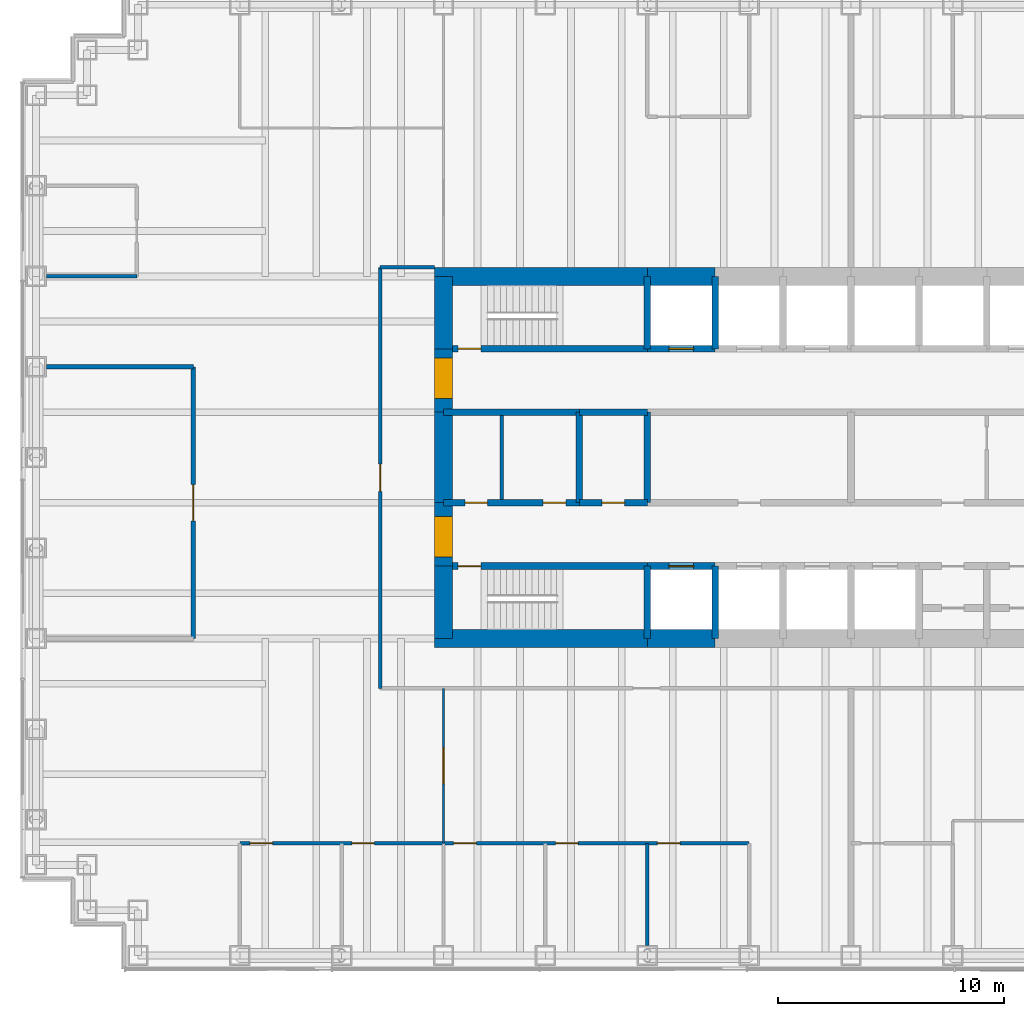
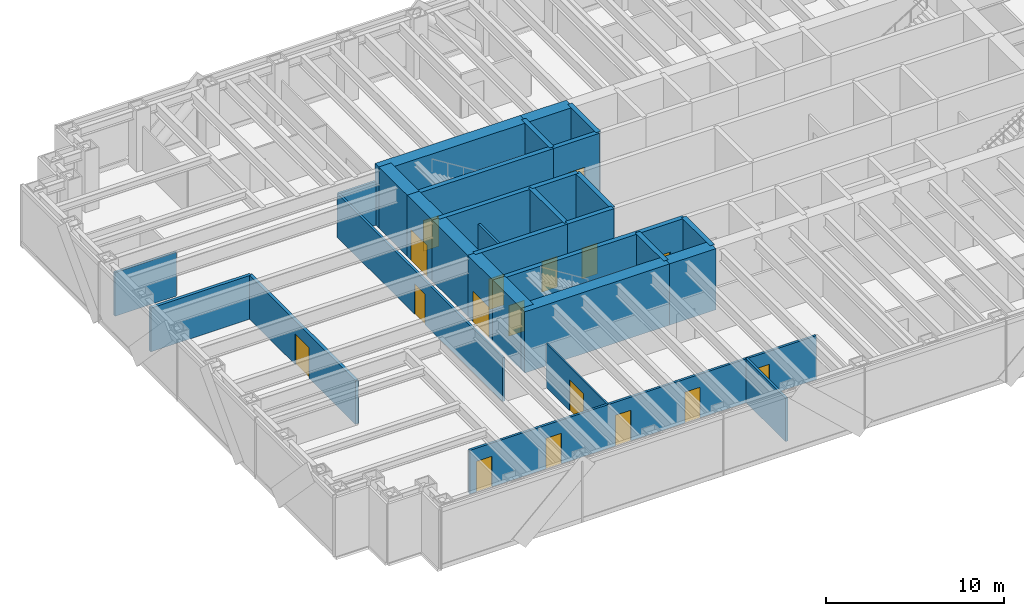
# One storey, part 11 of 15: 32 walls, 17 doors, 17 openings.
"""IFC4 building model written with IfcOpenShell, lengths in metres."""

from ifc_helpers import new_model, si_unit, direction, frame, frame_2d, origin, place, context, subcontext, project, spatial, rectangle, extrude, material, layer, layer_set, type_object, element, fill, save


model = new_model("IFC4")

# Units and contexts
model_context = context("Model", 3, precision=1e-05, world=origin(), true_north=direction((0.0, 1.0)))
body_context = subcontext(model_context, "Body", "Model", "MODEL_VIEW")
ifc_project = project(units=[si_unit("LENGTHUNIT", "METRE"), si_unit("AREAUNIT", "SQUARE_METRE"), si_unit("VOLUMEUNIT", "CUBIC_METRE"), si_unit("PLANEANGLEUNIT", "RADIAN"), si_unit("MASSUNIT", "GRAM", prefix="KILO")], contexts=[model_context])

# Site, building, storey
site_placement = place(None, origin())
site = spatial("IfcSite", under=ifc_project, at=site_placement, CompositionType="ELEMENT")
building_placement = place(site_placement, origin())
building = spatial("IfcBuilding", under=site, at=building_placement, Name="Rheinbord Bourse Tower", CompositionType="ELEMENT")
storey_placement = place(building_placement, frame((0.0, 0.0, 248.800048828125)))
storey = spatial("IfcBuildingStorey", under=building, at=storey_placement, Name="L56", CompositionType="ELEMENT", Elevation=248.800048828125)

# Wall
ifc_material_1 = material(Name="Acoustic gypsum board partition", Category="gypsum board")
ifc_layer_1 = layer(ifc_material_1, 0.199951171875)
ifc_layer_set_1 = layer_set([ifc_layer_1], Name="ACOUSTIC PARTITION 200")
wall_type_1 = type_object("IfcWallType", Name="ACOUSTIC PARTITION 200", PredefinedType="PARTITIONING", material=ifc_layer_set_1)
wall_1_placement = place(storey_placement, frame((0.449951171875, 28.0, 0.0), z_axis=(0.0, 0.0, 1.0), x_axis=(1.0, 0.0, 0.0)))
element("IfcWall", 1, at=wall_1_placement, inside=storey, type_object=wall_type_1, Name="Partition L56-10", PredefinedType="PARTITIONING", context=body_context, shape_type="SweptSolid", body=[
    extrude(rectangle(XDim=6.5, YDim=0.199951171875, at=frame_2d((3.25, 0.0))), origin(), (0.0, 0.0, 1.0), 3.0),
])

# Wall, opening, door
wall_2_placement = place(storey_placement, frame((6.949951171875, 16.0, 0.0), z_axis=(0.0, 0.0, 1.0), x_axis=(0.0, 1.0, 0.0)))
wall_2 = element("IfcWall", 2, at=wall_2_placement, inside=storey, type_object=wall_type_1, Name="Partition L56-20", PredefinedType="PARTITIONING", context=body_context, shape_type="SweptSolid", body=[
    extrude(rectangle(XDim=12.0, YDim=0.199951171875, at=frame_2d((6.0, 0.0))), origin(), (0.0, 0.0, 1.0), 3.0),
])
opening_1_placement = place(wall_2_placement, frame((5.199951171875, 0.0, 0.0)))
opening_1 = element("IfcOpeningElement", 3, at=opening_1_placement, cuts=wall_2, Name="Opening 56D10", PredefinedType="OPENING", context=body_context, shape_type="SweptSolid", body=[
    extrude(rectangle(XDim=1.60009765625, YDim=2.10009765625, at=frame_2d((0.800048828125, 1.050048828125))), frame((0.0, 0.10986328125, 0.0), z_axis=(0.0, -1.0, 0.0), x_axis=(1.0, 0.0, 0.0)), (0.0, 0.0, 1.0), 0.219970703125),
])
ifc_material_2 = material(Name="Timber door", Category="wood")
door_type_1 = type_object("IfcDoorType", Name="DOUBLE ROOM DOOR 1600", OperationType="DOUBLE_DOOR_DOUBLE_SWING", PredefinedType="DOOR", material=ifc_material_2)
door_1_placement = place(opening_1_placement, origin())
door_1 = element("IfcDoor", 4, at=door_1_placement, inside=storey, type_object=door_type_1, Name="Board room door L56", OperationType="SINGLE_SWING_LEFT", OverallHeight=2.10009765625, OverallWidth=1.60009765625, PredefinedType="DOOR", context=body_context, shape_type="SweptSolid", body=[
    extrude(rectangle(XDim=1.60009765625, YDim=2.10009765625, at=frame_2d((0.800048828125, 1.050048828125))), frame((0.0, 0.02490234375, 0.0), z_axis=(0.0, -1.0, 0.0), x_axis=(1.0, 0.0, 0.0)), (0.0, 0.0, 1.0), 0.050048828125),
])
fill(opening_1, door_1)

ifc_material_3 = material(Name="Concrete C50/60", Category="concrete")
ifc_layer_2 = layer(ifc_material_3, 0.300048828125)
ifc_layer_set_2 = layer_set([ifc_layer_2], Name="CORE INNER WALL 300")
wall_type_2 = type_object("IfcWallType", Name="CORE INNER WALL 300", PredefinedType="SOLIDWALL", material=ifc_layer_set_2)
wall_3_placement = place(storey_placement, frame((18.0, 19.199951171875, 0.0), z_axis=(0.0, 0.0, 1.0), x_axis=(1.0, 0.0, 0.0)))
wall_3 = element("IfcWall", 5, at=wall_3_placement, inside=storey, type_object=wall_type_2, Name="Core wall A1 L56", PredefinedType="SOLIDWALL", context=body_context, shape_type="SweptSolid", body=[
    extrude(rectangle(XDim=9.0, YDim=0.300048828125, at=frame_2d((4.5, 0.0))), origin(), (0.0, 0.0, 1.0), 4.199951171875),
])
opening_2_placement = place(wall_3_placement, frame((0.64990234375, 0.0, 0.0)))
opening_2 = element("IfcOpeningElement", 6, at=opening_2_placement, cuts=wall_3, Name="Opening 5610", PredefinedType="OPENING", context=body_context, shape_type="SweptSolid", body=[
    extrude(rectangle(XDim=1.0, YDim=2.10009765625, at=frame_2d((0.5, 1.050048828125))), frame((0.0, 0.159912109375, 0.0), z_axis=(0.0, -1.0, 0.0), x_axis=(1.0, 0.0, 0.0)), (0.0, 0.0, 1.0), 0.320068359375),
])
ifc_material_4 = material(Name="Steel door", Category="steel")
door_type_2 = type_object("IfcDoorType", Name="DOOR 1000 EI30", OperationType="SINGLE_SWING_LEFT", PredefinedType="DOOR", material=ifc_material_4)
door_2_placement = place(opening_2_placement, origin())
door_2 = element("IfcDoor", 7, at=door_2_placement, inside=storey, type_object=door_type_2, Name="Stair door ST1 L56", OperationType="SINGLE_SWING_LEFT", OverallHeight=2.10009765625, OverallWidth=1.0, PredefinedType="DOOR", context=body_context, shape_type="SweptSolid", body=[
    extrude(rectangle(XDim=1.0, YDim=2.10009765625, at=frame_2d((0.5, 1.050048828125))), frame((0.0, 0.02490234375, 0.0), z_axis=(0.0, -1.0, 0.0), x_axis=(1.0, 0.0, 0.0)), (0.0, 0.0, 1.0), 0.050048828125),
])
fill(opening_2, door_2)

wall_4_placement = place(storey_placement, frame((27.0, 19.199951171875, 0.0), z_axis=(0.0, 0.0, 1.0), x_axis=(1.0, 0.0, 0.0)))
wall_4 = element("IfcWall", 8, at=wall_4_placement, inside=storey, type_object=wall_type_2, Name="Core wall A2 L56", PredefinedType="SOLIDWALL", context=body_context, shape_type="SweptSolid", body=[
    extrude(rectangle(XDim=3.0, YDim=0.300048828125, at=frame_2d((1.5, 0.0))), origin(), (0.0, 0.0, 1.0), 4.199951171875),
])
opening_3_placement = place(wall_4_placement, frame((0.949951171875, 0.0, 0.0)))
opening_3 = element("IfcOpeningElement", 9, at=opening_3_placement, cuts=wall_4, Name="Opening FL1", PredefinedType="OPENING", context=body_context, shape_type="SweptSolid", body=[
    extrude(rectangle(XDim=1.10009765625, YDim=2.199951171875, at=frame_2d((0.550048828125, 1.10009765625))), frame((0.0, 0.159912109375, 0.0), z_axis=(0.0, -1.0, 0.0), x_axis=(1.0, 0.0, 0.0)), (0.0, 0.0, 1.0), 0.320068359375),
])
ifc_material_5 = material(Name="Steel landing door", Category="steel")
door_type_3 = type_object("IfcDoorType", Name="LIFT LANDING DOOR 1100", OperationType="DOUBLE_DOOR_SLIDING", PredefinedType="USERDEFINED", material=ifc_material_5)
door_3_placement = place(opening_3_placement, origin())
door_3 = element("IfcDoor", 10, at=door_3_placement, inside=storey, type_object=door_type_3, Name="Lift landing door FL1 L56", ObjectType="LIFT LANDING DOOR", OperationType="DOUBLE_DOOR_SLIDING", OverallHeight=2.199951171875, OverallWidth=1.10009765625, PredefinedType="USERDEFINED", context=body_context, shape_type="SweptSolid", body=[
    extrude(rectangle(XDim=1.10009765625, YDim=2.199951171875, at=frame_2d((0.550048828125, 1.10009765625))), frame((0.0, 0.02490234375, 0.0), z_axis=(0.0, -1.0, 0.0), x_axis=(1.0, 0.0, 0.0)), (0.0, 0.0, 1.0), 0.050048828125),
])
fill(opening_3, door_3)

wall_5_placement = place(storey_placement, frame((18.0, 28.800048828125, 0.0), z_axis=(0.0, 0.0, 1.0), x_axis=(1.0, 0.0, 0.0)))
wall_5 = element("IfcWall", 11, at=wall_5_placement, inside=storey, type_object=wall_type_2, Name="Core wall B1 L56", PredefinedType="SOLIDWALL", context=body_context, shape_type="SweptSolid", body=[
    extrude(rectangle(XDim=9.0, YDim=0.300048828125, at=frame_2d((4.5, 0.0))), origin(), (0.0, 0.0, 1.0), 4.199951171875),
])
opening_4_placement = place(wall_5_placement, frame((0.64990234375, 0.0, 0.0)))
opening_4 = element("IfcOpeningElement", 12, at=opening_4_placement, cuts=wall_5, Name="Opening 5620", PredefinedType="OPENING", context=body_context, shape_type="SweptSolid", body=[
    extrude(rectangle(XDim=1.0, YDim=2.10009765625, at=frame_2d((0.5, 1.050048828125))), frame((0.0, 0.159912109375, 0.0), z_axis=(0.0, -1.0, 0.0), x_axis=(1.0, 0.0, 0.0)), (0.0, 0.0, 1.0), 0.320068359375),
])
door_4_placement = place(opening_4_placement, origin())
door_4 = element("IfcDoor", 13, at=door_4_placement, inside=storey, type_object=door_type_2, Name="Stair door ST2 L56", OperationType="SINGLE_SWING_LEFT", OverallHeight=2.10009765625, OverallWidth=1.0, PredefinedType="DOOR", context=body_context, shape_type="SweptSolid", body=[
    extrude(rectangle(XDim=1.0, YDim=2.10009765625, at=frame_2d((0.5, 1.050048828125))), frame((0.0, 0.02490234375, 0.0), z_axis=(0.0, -1.0, 0.0), x_axis=(1.0, 0.0, 0.0)), (0.0, 0.0, 1.0), 0.050048828125),
])
fill(opening_4, door_4)

wall_6_placement = place(storey_placement, frame((27.0, 28.800048828125, 0.0), z_axis=(0.0, 0.0, 1.0), x_axis=(1.0, 0.0, 0.0)))
wall_6 = element("IfcWall", 14, at=wall_6_placement, inside=storey, type_object=wall_type_2, Name="Core wall B2 L56", PredefinedType="SOLIDWALL", context=body_context, shape_type="SweptSolid", body=[
    extrude(rectangle(XDim=3.0, YDim=0.300048828125, at=frame_2d((1.5, 0.0))), origin(), (0.0, 0.0, 1.0), 4.199951171875),
])
opening_5_placement = place(wall_6_placement, frame((0.949951171875, 0.0, 0.0)))
opening_5 = element("IfcOpeningElement", 15, at=opening_5_placement, cuts=wall_6, Name="Opening GL1", PredefinedType="OPENING", context=body_context, shape_type="SweptSolid", body=[
    extrude(rectangle(XDim=1.10009765625, YDim=2.199951171875, at=frame_2d((0.550048828125, 1.10009765625))), frame((0.0, 0.159912109375, 0.0), z_axis=(0.0, -1.0, 0.0), x_axis=(1.0, 0.0, 0.0)), (0.0, 0.0, 1.0), 0.320068359375),
])
door_5_placement = place(opening_5_placement, origin())
door_5 = element("IfcDoor", 16, at=door_5_placement, inside=storey, type_object=door_type_3, Name="Lift landing door GL1 L56", ObjectType="LIFT LANDING DOOR", OperationType="DOUBLE_DOOR_SLIDING", OverallHeight=2.199951171875, OverallWidth=1.10009765625, PredefinedType="USERDEFINED", context=body_context, shape_type="SweptSolid", body=[
    extrude(rectangle(XDim=1.10009765625, YDim=2.199951171875, at=frame_2d((0.550048828125, 1.10009765625))), frame((0.0, 0.02490234375, 0.0), z_axis=(0.0, -1.0, 0.0), x_axis=(1.0, 0.0, 0.0)), (0.0, 0.0, 1.0), 0.050048828125),
])
fill(opening_5, door_5)

# Wall, openings, doors
wall_7_placement = place(storey_placement, frame((18.0, 22.0, 0.0), z_axis=(0.0, 0.0, 1.0), x_axis=(1.0, 0.0, 0.0)))
wall_7 = element("IfcWall", 17, at=wall_7_placement, inside=storey, type_object=wall_type_2, Name="Core wall C1 L56", PredefinedType="SOLIDWALL", context=body_context, shape_type="SweptSolid", body=[
    extrude(rectangle(XDim=6.0, YDim=0.300048828125, at=frame_2d((3.0, 0.0))), origin(), (0.0, 0.0, 1.0), 4.199951171875),
])
opening_6_placement = place(wall_7_placement, frame((4.39990234375, 0.0, 0.0)))
opening_6 = element("IfcOpeningElement", 18, at=opening_6_placement, cuts=wall_7, Name="Opening 56R1", PredefinedType="OPENING", context=body_context, shape_type="SweptSolid", body=[
    extrude(rectangle(XDim=1.0, YDim=2.10009765625, at=frame_2d((0.5, 1.050048828125))), frame((0.0, 0.159912109375, 0.0), z_axis=(0.0, -1.0, 0.0), x_axis=(1.0, 0.0, 0.0)), (0.0, 0.0, 1.0), 0.320068359375),
])
opening_7_placement = place(wall_7_placement, frame((0.949951171875, 0.0, 0.0)))
opening_7 = element("IfcOpeningElement", 19, at=opening_7_placement, cuts=wall_7, Name="Opening 56R9", PredefinedType="OPENING", context=body_context, shape_type="SweptSolid", body=[
    extrude(rectangle(XDim=1.0, YDim=2.10009765625, at=frame_2d((0.5, 1.050048828125))), frame((0.0, 0.159912109375, 0.0), z_axis=(0.0, -1.0, 0.0), x_axis=(1.0, 0.0, 0.0)), (0.0, 0.0, 1.0), 0.320068359375),
])
door_6_placement = place(opening_7_placement, origin())
door_6 = element("IfcDoor", 20, at=door_6_placement, inside=storey, type_object=door_type_2, Name="Baby change door L56", OperationType="SINGLE_SWING_LEFT", OverallHeight=2.10009765625, OverallWidth=1.0, PredefinedType="DOOR", context=body_context, shape_type="SweptSolid", body=[
    extrude(rectangle(XDim=1.0, YDim=2.10009765625, at=frame_2d((0.5, 1.050048828125))), frame((0.0, 0.02490234375, 0.0), z_axis=(0.0, -1.0, 0.0), x_axis=(1.0, 0.0, 0.0)), (0.0, 0.0, 1.0), 0.050048828125),
])
fill(opening_7, door_6)
ifc_material_6 = material(Name="Timber door", Category="wood")
door_type_4 = type_object("IfcDoorType", Name="DOOR 1000 WC", OperationType="SINGLE_SWING_LEFT", PredefinedType="DOOR", material=ifc_material_6)
door_7_placement = place(opening_6_placement, origin())
door_7 = element("IfcDoor", 21, at=door_7_placement, inside=storey, type_object=door_type_4, Name="WC men door L56", OperationType="SINGLE_SWING_RIGHT", OverallHeight=2.10009765625, OverallWidth=1.0, PredefinedType="DOOR", context=body_context, shape_type="SweptSolid", body=[
    extrude(rectangle(XDim=1.0, YDim=2.10009765625, at=frame_2d((0.5, 1.050048828125))), frame((0.0, 0.02490234375, 0.0), z_axis=(0.0, -1.0, 0.0), x_axis=(1.0, 0.0, 0.0)), (0.0, 0.0, 1.0), 0.050048828125),
])
fill(opening_6, door_7)

# Wall, opening, door
wall_8_placement = place(storey_placement, frame((24.0, 22.0, 0.0), z_axis=(0.0, 0.0, 1.0), x_axis=(1.0, 0.0, 0.0)))
wall_8 = element("IfcWall", 22, at=wall_8_placement, inside=storey, type_object=wall_type_2, Name="Core wall C2 L56", PredefinedType="SOLIDWALL", context=body_context, shape_type="SweptSolid", body=[
    extrude(rectangle(XDim=3.0, YDim=0.300048828125, at=frame_2d((1.5, 0.0))), origin(), (0.0, 0.0, 1.0), 4.199951171875),
])
opening_8_placement = place(wall_8_placement, frame((1.0, 0.0, 0.0)))
opening_8 = element("IfcOpeningElement", 23, at=opening_8_placement, cuts=wall_8, Name="Opening 56R2", PredefinedType="OPENING", context=body_context, shape_type="SweptSolid", body=[
    extrude(rectangle(XDim=1.0, YDim=2.10009765625, at=frame_2d((0.5, 1.050048828125))), frame((0.0, 0.159912109375, 0.0), z_axis=(0.0, -1.0, 0.0), x_axis=(1.0, 0.0, 0.0)), (0.0, 0.0, 1.0), 0.320068359375),
])
door_8_placement = place(opening_8_placement, origin())
door_8 = element("IfcDoor", 24, at=door_8_placement, inside=storey, type_object=door_type_4, Name="Accessible WC door L56", OperationType="SINGLE_SWING_LEFT", OverallHeight=2.10009765625, OverallWidth=1.0, PredefinedType="DOOR", context=body_context, shape_type="SweptSolid", body=[
    extrude(rectangle(XDim=1.0, YDim=2.10009765625, at=frame_2d((0.5, 1.050048828125))), frame((0.0, 0.02490234375, 0.0), z_axis=(0.0, -1.0, 0.0), x_axis=(1.0, 0.0, 0.0)), (0.0, 0.0, 1.0), 0.050048828125),
])
fill(opening_8, door_8)

# Walls
wall_9_placement = place(storey_placement, frame((18.0, 26.0, 0.0), z_axis=(0.0, 0.0, 1.0), x_axis=(1.0, 0.0, 0.0)))
element("IfcWall", 25, at=wall_9_placement, inside=storey, type_object=wall_type_2, Name="Core wall D1 L56", PredefinedType="SOLIDWALL", context=body_context, shape_type="SweptSolid", body=[
    extrude(rectangle(XDim=6.0, YDim=0.300048828125, at=frame_2d((3.0, 0.0))), origin(), (0.0, 0.0, 1.0), 4.199951171875),
])
wall_10_placement = place(storey_placement, frame((24.0, 26.0, 0.0), z_axis=(0.0, 0.0, 1.0), x_axis=(1.0, 0.0, 0.0)))
element("IfcWall", 26, at=wall_10_placement, inside=storey, type_object=wall_type_2, Name="Core wall D2 L56", PredefinedType="SOLIDWALL", context=body_context, shape_type="SweptSolid", body=[
    extrude(rectangle(XDim=3.0, YDim=0.300048828125, at=frame_2d((1.5, 0.0))), origin(), (0.0, 0.0, 1.0), 4.199951171875),
])
for number, where, z_axis, x_axis, name in (
    (27, (27.0, 16.0, 0.0), (0.0, 0.0, 1.0), (0.0, 1.0, 0.0), "Core wall SX27 L56"),
    (28, (27.0, 28.800048828125, 0.0), (0.0, 0.0, 1.0), (0.0, 1.0, 0.0), "Core wall NX27 L56"),
    (29, (30.0, 16.0, 0.0), (0.0, 0.0, 1.0), (0.0, 1.0, 0.0), "Core wall SX30 L56"),
    (30, (30.0, 28.800048828125, 0.0), (0.0, 0.0, 1.0), (0.0, 1.0, 0.0), "Core wall NX30 L56"),
):
    element("IfcWall", number, at=place(storey_placement, frame(where, z_axis=z_axis, x_axis=x_axis)), inside=storey, type_object=wall_type_2, Name=name, PredefinedType="SOLIDWALL", context=body_context, shape_type="SweptSolid", body=[
        extrude(rectangle(XDim=3.199951171875, YDim=0.300048828125, at=frame_2d((1.60009765625, 0.0))), origin(), (0.0, 0.0, 1.0), 4.199951171875),
    ])
for number, where, z_axis, x_axis, name in (
    (31, (24.0, 22.0, 0.0), (0.0, 0.0, 1.0), (0.0, 1.0, 0.0), "Core wall MX24 L56"),
    (32, (27.0, 22.0, 0.0), (0.0, 0.0, 1.0), (0.0, 1.0, 0.0), "Core wall MX27 L56"),
):
    element("IfcWall", number, at=place(storey_placement, frame(where, z_axis=z_axis, x_axis=x_axis)), inside=storey, type_object=wall_type_2, Name=name, PredefinedType="SOLIDWALL", context=body_context, shape_type="SweptSolid", body=[
        extrude(rectangle(XDim=4.0, YDim=0.300048828125, at=frame_2d((2.0, 0.0))), origin(), (0.0, 0.0, 1.0), 4.199951171875),
    ])
ifc_material_7 = material(Name="Gypsum board fire partition", Category="gypsum board")
ifc_layer_3 = layer(ifc_material_7, 0.14990234375)
ifc_layer_set_3 = layer_set([ifc_layer_3], Name="CORE PARTITION 150 EI30")
wall_type_3 = type_object("IfcWallType", Name="CORE PARTITION 150 EI30", PredefinedType="PARTITIONING", material=ifc_layer_set_3)
wall_11_placement = place(storey_placement, frame((20.574951171875, 22.14990234375, 0.0), z_axis=(0.0, 0.0, 1.0), x_axis=(0.0, 1.0, 0.0)))
element("IfcWall", 33, at=wall_11_placement, inside=storey, type_object=wall_type_3, Name="Core partition L56-2", PredefinedType="PARTITIONING", context=body_context, shape_type="SweptSolid", body=[
    extrude(rectangle(XDim=3.7001953125, YDim=0.14990234375, at=frame_2d((1.85009765625, 0.0))), origin(), (0.0, 0.0, 1.0), 3.0),
])
ifc_material_8 = material(Name="Concrete C50/60", Category="concrete")
ifc_layer_4 = layer(ifc_material_8, 0.800048828125)
ifc_layer_set_4 = layer_set([ifc_layer_4], Name="CORE WALL 800")
wall_type_4 = type_object("IfcWallType", Name="CORE WALL 800", PredefinedType="SHEAR", material=ifc_layer_set_4)
wall_12_placement = place(storey_placement, frame((17.60009765625, 16.0, 0.0), z_axis=(0.0, 0.0, 1.0), x_axis=(1.0, 0.0, 0.0)))
element("IfcWall", 34, at=wall_12_placement, inside=storey, type_object=wall_type_4, Name="Core wall S1 L56", PredefinedType="SHEAR", context=body_context, shape_type="SweptSolid", body=[
    extrude(rectangle(XDim=9.39990234375, YDim=0.800048828125, at=frame_2d((4.699951171875, 0.0))), origin(), (0.0, 0.0, 1.0), 4.199951171875),
])
for number, where, z_axis, x_axis, name in (
    (35, (27.0, 16.0, 0.0), (0.0, 0.0, 1.0), (1.0, 0.0, 0.0), "Core wall S2 L56"),
    (36, (30.0, 32.0, 0.0), (0.0, 0.0, 1.0), (-1.0, 0.0, 0.0), "Core wall N7 L56"),
):
    element("IfcWall", number, at=place(storey_placement, frame(where, z_axis=z_axis, x_axis=x_axis)), inside=storey, type_object=wall_type_4, Name=name, PredefinedType="SHEAR", context=body_context, shape_type="SweptSolid", body=[
        extrude(rectangle(XDim=3.0, YDim=0.800048828125, at=frame_2d((1.5, 0.0))), origin(), (0.0, 0.0, 1.0), 4.199951171875),
    ])
wall_13_placement = place(storey_placement, frame((27.0, 32.0, 0.0), z_axis=(0.0, 0.0, 1.0), x_axis=(-1.0, 0.0, 0.0)))
element("IfcWall", 37, at=wall_13_placement, inside=storey, type_object=wall_type_4, Name="Core wall N8 L56", PredefinedType="SHEAR", context=body_context, shape_type="SweptSolid", body=[
    extrude(rectangle(XDim=9.39990234375, YDim=0.800048828125, at=frame_2d((4.699951171875, 0.0))), origin(), (0.0, 0.0, 1.0), 4.199951171875),
])
wall_14_placement = place(storey_placement, frame((18.0, 32.0, 0.0), z_axis=(0.0, 0.0, 1.0), x_axis=(0.0, -1.0, 0.0)))
element("IfcWall", 38, at=wall_14_placement, inside=storey, type_object=wall_type_4, Name="Core wall W1 L56", PredefinedType="SHEAR", context=body_context, shape_type="SweptSolid", body=[
    extrude(rectangle(XDim=3.199951171875, YDim=0.800048828125, at=frame_2d((1.60009765625, 0.0))), origin(), (0.0, 0.0, 1.0), 4.199951171875),
])

# Wall, opening, door
wall_15_placement = place(storey_placement, frame((18.0, 28.800048828125, 0.0), z_axis=(0.0, 0.0, 1.0), x_axis=(0.0, -1.0, 0.0)))
wall_15 = element("IfcWall", 39, at=wall_15_placement, inside=storey, type_object=wall_type_4, Name="Core wall W2 L56", PredefinedType="SHEAR", context=body_context, shape_type="SweptSolid", body=[
    extrude(rectangle(XDim=2.800048828125, YDim=0.800048828125, at=frame_2d((1.39990234375, 0.0))), origin(), (0.0, 0.0, 1.0), 4.199951171875),
])
opening_9_placement = place(wall_15_placement, frame((0.39990234375, 0.0, 0.0)))
opening_9 = element("IfcOpeningElement", 40, at=opening_9_placement, cuts=wall_15, Name="Opening 56L2", PredefinedType="OPENING", context=body_context, shape_type="SweptSolid", body=[
    extrude(rectangle(XDim=1.800048828125, YDim=2.10009765625, at=frame_2d((0.89990234375, 1.050048828125))), frame((0.0, 0.409912109375, 0.0), z_axis=(0.0, -1.0, 0.0), x_axis=(1.0, 0.0, 0.0)), (0.0, 0.0, 1.0), 0.820068359375),
])
ifc_material_9 = material(Name="Steel door", Category="steel")
door_type_5 = type_object("IfcDoorType", Name="DOOR 1800 EI30 DOUBLE", OperationType="DOUBLE_DOOR_DOUBLE_SWING", PredefinedType="DOOR", material=ifc_material_9)
door_9_placement = place(opening_9_placement, origin())
door_9 = element("IfcDoor", 41, at=door_9_placement, inside=storey, type_object=door_type_5, Name="Lobby door 2 L56", OperationType="SINGLE_SWING_LEFT", OverallHeight=2.10009765625, OverallWidth=1.800048828125, PredefinedType="DOOR", context=body_context, shape_type="SweptSolid", body=[
    extrude(rectangle(XDim=1.800048828125, YDim=2.10009765625, at=frame_2d((0.89990234375, 1.050048828125))), frame((0.0, 0.39990234375, 0.0), z_axis=(0.0, -1.0, 0.0), x_axis=(1.0, 0.0, 0.0)), (0.0, 0.0, 1.0), 0.799560546875),
])
fill(opening_9, door_9)

# Wall
wall_16_placement = place(storey_placement, frame((18.0, 26.0, 0.0), z_axis=(0.0, 0.0, 1.0), x_axis=(0.0, -1.0, 0.0)))
element("IfcWall", 42, at=wall_16_placement, inside=storey, type_object=wall_type_4, Name="Core wall W3 L56", PredefinedType="SHEAR", context=body_context, shape_type="SweptSolid", body=[
    extrude(rectangle(XDim=4.0, YDim=0.800048828125, at=frame_2d((2.0, 0.0))), origin(), (0.0, 0.0, 1.0), 4.199951171875),
])

# Wall, opening, door
wall_17_placement = place(storey_placement, frame((18.0, 22.0, 0.0), z_axis=(0.0, 0.0, 1.0), x_axis=(0.0, -1.0, 0.0)))
wall_17 = element("IfcWall", 43, at=wall_17_placement, inside=storey, type_object=wall_type_4, Name="Core wall W4 L56", PredefinedType="SHEAR", context=body_context, shape_type="SweptSolid", body=[
    extrude(rectangle(XDim=2.800048828125, YDim=0.800048828125, at=frame_2d((1.39990234375, 0.0))), origin(), (0.0, 0.0, 1.0), 4.199951171875),
])
opening_10_placement = place(wall_17_placement, frame((0.60009765625, 0.0, 0.0)))
opening_10 = element("IfcOpeningElement", 44, at=opening_10_placement, cuts=wall_17, Name="Opening 56L1", PredefinedType="OPENING", context=body_context, shape_type="SweptSolid", body=[
    extrude(rectangle(XDim=1.800048828125, YDim=2.10009765625, at=frame_2d((0.89990234375, 1.050048828125))), frame((0.0, 0.409912109375, 0.0), z_axis=(0.0, -1.0, 0.0), x_axis=(1.0, 0.0, 0.0)), (0.0, 0.0, 1.0), 0.820068359375),
])
door_10_placement = place(opening_10_placement, origin())
door_10 = element("IfcDoor", 45, at=door_10_placement, inside=storey, type_object=door_type_5, Name="Lobby door 1 L56", OperationType="SINGLE_SWING_LEFT", OverallHeight=2.10009765625, OverallWidth=1.800048828125, PredefinedType="DOOR", context=body_context, shape_type="SweptSolid", body=[
    extrude(rectangle(XDim=1.800048828125, YDim=2.10009765625, at=frame_2d((0.89990234375, 1.050048828125))), frame((0.0, 0.39990234375, 0.0), z_axis=(0.0, -1.0, 0.0), x_axis=(1.0, 0.0, 0.0)), (0.0, 0.0, 1.0), 0.799560546875),
])
fill(opening_10, door_10)

# Walls
wall_18_placement = place(storey_placement, frame((18.0, 19.199951171875, 0.0), z_axis=(0.0, 0.0, 1.0), x_axis=(0.0, -1.0, 0.0)))
element("IfcWall", 46, at=wall_18_placement, inside=storey, type_object=wall_type_4, Name="Core wall W5 L56", PredefinedType="SHEAR", context=body_context, shape_type="SweptSolid", body=[
    extrude(rectangle(XDim=3.199951171875, YDim=0.800048828125, at=frame_2d((1.60009765625, 0.0))), origin(), (0.0, 0.0, 1.0), 4.199951171875),
])
ifc_material_10 = material(Name="Gypsum board corridor partition", Category="gypsum board")
ifc_layer_5 = layer(ifc_material_10, 0.14990234375)
ifc_layer_set_5 = layer_set([ifc_layer_5], Name="CORRIDOR PARTITION 150 EI30")
wall_type_5 = type_object("IfcWallType", Name="CORRIDOR PARTITION 150 EI30", PredefinedType="PARTITIONING", material=ifc_layer_set_5)
wall_19_placement = place(storey_placement, frame((15.199951171875, 32.39990234375, 0.0), z_axis=(0.0, 0.0, 1.0), x_axis=(1.0, 0.0, 0.0)))
element("IfcWall", 47, at=wall_19_placement, inside=storey, type_object=wall_type_5, Name="Partition L56-13", PredefinedType="PARTITIONING", context=body_context, shape_type="SweptSolid", body=[
    extrude(rectangle(XDim=2.400146484375, YDim=0.14990234375, at=frame_2d((1.2001953125, 0.0))), origin(), (0.0, 0.0, 1.0), 3.0),
])

# Wall, opening, door
wall_20_placement = place(storey_placement, frame((15.199951171875, 13.800048828125, 0.0), z_axis=(0.0, 0.0, 1.0), x_axis=(0.0, 1.0, 0.0)))
wall_20 = element("IfcWall", 48, at=wall_20_placement, inside=storey, type_object=wall_type_5, Name="Partition L56-24", PredefinedType="PARTITIONING", context=body_context, shape_type="SweptSolid", body=[
    extrude(rectangle(XDim=18.599853515625, YDim=0.14990234375, at=frame_2d((9.2998046875, 0.0))), origin(), (0.0, 0.0, 1.0), 3.0),
])
opening_11_placement = place(wall_20_placement, frame((8.699951171875, 0.0, 0.0)))
opening_11 = element("IfcOpeningElement", 49, at=opening_11_placement, cuts=wall_20, Name="Opening 56D24", PredefinedType="OPENING", context=body_context, shape_type="SweptSolid", body=[
    extrude(rectangle(XDim=1.199951171875, YDim=2.10009765625, at=frame_2d((0.60009765625, 1.050048828125))), frame((0.0, 0.0849609375, 0.0), z_axis=(0.0, -1.0, 0.0), x_axis=(1.0, 0.0, 0.0)), (0.0, 0.0, 1.0), 0.169921875),
])
ifc_material_11 = material(Name="Timber fire door", Category="wood")
door_type_6 = type_object("IfcDoorType", Name="SUITE ENTRANCE DOOR 1200 EI30", OperationType="SINGLE_SWING_LEFT", PredefinedType="DOOR", material=ifc_material_11)
door_11_placement = place(opening_11_placement, origin())
door_11 = element("IfcDoor", 50, at=door_11_placement, inside=storey, type_object=door_type_6, Name="Suite entrance 1 door L56", OperationType="SINGLE_SWING_LEFT", OverallHeight=2.10009765625, OverallWidth=1.199951171875, PredefinedType="DOOR", context=body_context, shape_type="SweptSolid", body=[
    extrude(rectangle(XDim=1.199951171875, YDim=2.10009765625, at=frame_2d((0.60009765625, 1.050048828125))), frame((0.0, 0.02490234375, 0.0), z_axis=(0.0, -1.0, 0.0), x_axis=(1.0, 0.0, 0.0)), (0.0, 0.0, 1.0), 0.050048828125),
])
fill(opening_11, door_11)

# Wall
ifc_material_12 = material(Name="Gypsum board fire partition", Category="gypsum board")
ifc_layer_6 = layer(ifc_material_12, 0.14990234375)
ifc_layer_set_6 = layer_set([ifc_layer_6], Name="FIRE PARTITION 150 EI60")
wall_type_6 = type_object("IfcWallType", Name="FIRE PARTITION 150 EI60", PredefinedType="PARTITIONING", material=ifc_layer_set_6)
wall_21_placement = place(storey_placement, frame((0.449951171875, 32.0, 0.0), z_axis=(0.0, 0.0, 1.0), x_axis=(1.0, 0.0, 0.0)))
element("IfcWall", 51, at=wall_21_placement, inside=storey, type_object=wall_type_6, Name="Partition L56-11", PredefinedType="PARTITIONING", context=body_context, shape_type="SweptSolid", body=[
    extrude(rectangle(XDim=4.0, YDim=0.14990234375, at=frame_2d((2.0, 0.0))), origin(), (0.0, 0.0, 1.0), 3.0),
])

# Wall, opening, door
ifc_material_13 = material(Name="Toughened laminated glass partition", Category="glass")
ifc_layer_7 = layer(ifc_material_13, 0.10009765625)
ifc_layer_set_7 = layer_set([ifc_layer_7], Name="GLAZED PARTITION 100")
wall_type_7 = type_object("IfcWallType", Name="GLAZED PARTITION 100", PredefinedType="PARTITIONING", material=ifc_layer_set_7)
wall_22_placement = place(storey_placement, frame((18.0, 6.949951171875, 0.0), z_axis=(0.0, 0.0, 1.0), x_axis=(0.0, 1.0, 0.0)))
wall_22 = element("IfcWall", 52, at=wall_22_placement, inside=storey, type_object=wall_type_7, Name="Partition L56-26", PredefinedType="PARTITIONING", context=body_context, shape_type="SweptSolid", body=[
    extrude(rectangle(XDim=6.85009765625, YDim=0.10009765625, at=frame_2d((3.425048828125, 0.0))), origin(), (0.0, 0.0, 1.0), 3.0),
])
opening_12_placement = place(wall_22_placement, frame((2.625, 0.0, 0.0)))
opening_12 = element("IfcOpeningElement", 53, at=opening_12_placement, cuts=wall_22, Name="Opening 56D20", PredefinedType="OPENING", context=body_context, shape_type="SweptSolid", body=[
    extrude(rectangle(XDim=1.60009765625, YDim=2.10009765625, at=frame_2d((0.800048828125, 1.050048828125))), frame((0.0, 0.06005859375, 0.0), z_axis=(0.0, -1.0, 0.0), x_axis=(1.0, 0.0, 0.0)), (0.0, 0.0, 1.0), 0.1201171875),
])
door_12_placement = place(opening_12_placement, origin())
door_12 = element("IfcDoor", 54, at=door_12_placement, inside=storey, type_object=door_type_1, Name="Open area door L56", OperationType="SINGLE_SWING_LEFT", OverallHeight=2.10009765625, OverallWidth=1.60009765625, PredefinedType="DOOR", context=body_context, shape_type="SweptSolid", body=[
    extrude(rectangle(XDim=1.60009765625, YDim=2.10009765625, at=frame_2d((0.800048828125, 1.050048828125))), frame((0.0, 0.02490234375, 0.0), z_axis=(0.0, -1.0, 0.0), x_axis=(1.0, 0.0, 0.0)), (0.0, 0.0, 1.0), 0.050048828125),
])
fill(opening_12, door_12)

# Wall, openings, doors
ifc_material_14 = material(Name="Gypsum board partition", Category="gypsum board")
ifc_layer_8 = layer(ifc_material_14, 0.14990234375)
ifc_layer_set_8 = layer_set([ifc_layer_8], Name="PARTITION 150")
wall_type_8 = type_object("IfcWallType", Name="PARTITION 150", PredefinedType="PARTITIONING", material=ifc_layer_set_8)
wall_23_placement = place(storey_placement, frame((9.0, 6.949951171875, 0.0), z_axis=(0.0, 0.0, 1.0), x_axis=(1.0, 0.0, 0.0)))
wall_23 = element("IfcWall", 55, at=wall_23_placement, inside=storey, type_object=wall_type_8, Name="Partition L56-01", PredefinedType="PARTITIONING", context=body_context, shape_type="SweptSolid", body=[
    extrude(rectangle(XDim=22.5, YDim=0.14990234375, at=frame_2d((11.25, 0.0))), origin(), (0.0, 0.0, 1.0), 3.0),
])
opening_13_placement = place(wall_23_placement, frame((0.449951171875, 0.0, 0.0)))
opening_13 = element("IfcOpeningElement", 56, at=opening_13_placement, cuts=wall_23, Name="Opening 56D01", PredefinedType="OPENING", context=body_context, shape_type="SweptSolid", body=[
    extrude(rectangle(XDim=1.0, YDim=2.10009765625, at=frame_2d((0.5, 1.050048828125))), frame((0.0, 0.0849609375, 0.0), z_axis=(0.0, -1.0, 0.0), x_axis=(1.0, 0.0, 0.0)), (0.0, 0.0, 1.0), 0.169921875),
])
opening_14_placement = place(wall_23_placement, frame((4.949951171875, 0.0, 0.0)))
opening_14 = element("IfcOpeningElement", 57, at=opening_14_placement, cuts=wall_23, Name="Opening 56D02", PredefinedType="OPENING", context=body_context, shape_type="SweptSolid", body=[
    extrude(rectangle(XDim=1.0, YDim=2.10009765625, at=frame_2d((0.5, 1.050048828125))), frame((0.0, 0.0849609375, 0.0), z_axis=(0.0, -1.0, 0.0), x_axis=(1.0, 0.0, 0.0)), (0.0, 0.0, 1.0), 0.169921875),
])
opening_15_placement = place(wall_23_placement, frame((9.449951171875, 0.0, 0.0)))
opening_15 = element("IfcOpeningElement", 58, at=opening_15_placement, cuts=wall_23, Name="Opening 56D03", PredefinedType="OPENING", context=body_context, shape_type="SweptSolid", body=[
    extrude(rectangle(XDim=1.0, YDim=2.10009765625, at=frame_2d((0.5, 1.050048828125))), frame((0.0, 0.0849609375, 0.0), z_axis=(0.0, -1.0, 0.0), x_axis=(1.0, 0.0, 0.0)), (0.0, 0.0, 1.0), 0.169921875),
])
opening_16_placement = place(wall_23_placement, frame((13.949951171875, 0.0, 0.0)))
opening_16 = element("IfcOpeningElement", 59, at=opening_16_placement, cuts=wall_23, Name="Opening 56D04", PredefinedType="OPENING", context=body_context, shape_type="SweptSolid", body=[
    extrude(rectangle(XDim=1.0, YDim=2.10009765625, at=frame_2d((0.5, 1.050048828125))), frame((0.0, 0.0849609375, 0.0), z_axis=(0.0, -1.0, 0.0), x_axis=(1.0, 0.0, 0.0)), (0.0, 0.0, 1.0), 0.169921875),
])
opening_17_placement = place(wall_23_placement, frame((18.449951171875, 0.0, 0.0)))
opening_17 = element("IfcOpeningElement", 60, at=opening_17_placement, cuts=wall_23, Name="Opening 56D05", PredefinedType="OPENING", context=body_context, shape_type="SweptSolid", body=[
    extrude(rectangle(XDim=1.0, YDim=2.10009765625, at=frame_2d((0.5, 1.050048828125))), frame((0.0, 0.0849609375, 0.0), z_axis=(0.0, -1.0, 0.0), x_axis=(1.0, 0.0, 0.0)), (0.0, 0.0, 1.0), 0.169921875),
])
ifc_material_15 = material(Name="Timber door", Category="wood")
door_type_7 = type_object("IfcDoorType", Name="ROOM DOOR 1000", OperationType="SINGLE_SWING_LEFT", PredefinedType="DOOR", material=ifc_material_15)
door_13_placement = place(opening_13_placement, origin())
door_13 = element("IfcDoor", 61, at=door_13_placement, inside=storey, type_object=door_type_7, Name="Office door L56", OperationType="SINGLE_SWING_LEFT", OverallHeight=2.10009765625, OverallWidth=1.0, PredefinedType="DOOR", context=body_context, shape_type="SweptSolid", body=[
    extrude(rectangle(XDim=1.0, YDim=2.10009765625, at=frame_2d((0.5, 1.050048828125))), frame((0.0, 0.02490234375, 0.0), z_axis=(0.0, -1.0, 0.0), x_axis=(1.0, 0.0, 0.0)), (0.0, 0.0, 1.0), 0.050048828125),
])
fill(opening_13, door_13)
door_14_placement = place(opening_14_placement, origin())
door_14 = element("IfcDoor", 62, at=door_14_placement, inside=storey, type_object=door_type_7, Name="Office door L56", OperationType="SINGLE_SWING_LEFT", OverallHeight=2.10009765625, OverallWidth=1.0, PredefinedType="DOOR", context=body_context, shape_type="SweptSolid", body=[
    extrude(rectangle(XDim=1.0, YDim=2.10009765625, at=frame_2d((0.5, 1.050048828125))), frame((0.0, 0.02490234375, 0.0), z_axis=(0.0, -1.0, 0.0), x_axis=(1.0, 0.0, 0.0)), (0.0, 0.0, 1.0), 0.050048828125),
])
fill(opening_14, door_14)
door_15_placement = place(opening_15_placement, origin())
door_15 = element("IfcDoor", 63, at=door_15_placement, inside=storey, type_object=door_type_7, Name="Office door L56", OperationType="SINGLE_SWING_LEFT", OverallHeight=2.10009765625, OverallWidth=1.0, PredefinedType="DOOR", context=body_context, shape_type="SweptSolid", body=[
    extrude(rectangle(XDim=1.0, YDim=2.10009765625, at=frame_2d((0.5, 1.050048828125))), frame((0.0, 0.02490234375, 0.0), z_axis=(0.0, -1.0, 0.0), x_axis=(1.0, 0.0, 0.0)), (0.0, 0.0, 1.0), 0.050048828125),
])
fill(opening_15, door_15)
door_16_placement = place(opening_16_placement, origin())
door_16 = element("IfcDoor", 64, at=door_16_placement, inside=storey, type_object=door_type_7, Name="Office door L56", OperationType="SINGLE_SWING_RIGHT", OverallHeight=2.10009765625, OverallWidth=1.0, PredefinedType="DOOR", context=body_context, shape_type="SweptSolid", body=[
    extrude(rectangle(XDim=1.0, YDim=2.10009765625, at=frame_2d((0.5, 1.050048828125))), frame((0.0, 0.02490234375, 0.0), z_axis=(0.0, -1.0, 0.0), x_axis=(1.0, 0.0, 0.0)), (0.0, 0.0, 1.0), 0.050048828125),
])
fill(opening_16, door_16)
door_17_placement = place(opening_17_placement, origin())
door_17 = element("IfcDoor", 65, at=door_17_placement, inside=storey, type_object=door_type_7, Name="Office door L56", OperationType="SINGLE_SWING_RIGHT", OverallHeight=2.10009765625, OverallWidth=1.0, PredefinedType="DOOR", context=body_context, shape_type="SweptSolid", body=[
    extrude(rectangle(XDim=1.0, YDim=2.10009765625, at=frame_2d((0.5, 1.050048828125))), frame((0.0, 0.02490234375, 0.0), z_axis=(0.0, -1.0, 0.0), x_axis=(1.0, 0.0, 0.0)), (0.0, 0.0, 1.0), 0.050048828125),
])
fill(opening_17, door_17)

# Wall
wall_24_placement = place(storey_placement, frame((27.0, 2.449951171875, 0.0), z_axis=(0.0, 0.0, 1.0), x_axis=(0.0, 1.0, 0.0)))
element("IfcWall", 66, at=wall_24_placement, inside=storey, type_object=wall_type_8, Name="Partition L56-29", PredefinedType="PARTITIONING", context=body_context, shape_type="SweptSolid", body=[
    extrude(rectangle(XDim=4.5, YDim=0.14990234375, at=frame_2d((2.25, 0.0))), origin(), (0.0, 0.0, 1.0), 3.0),
])

save(model, "model.ifc")
